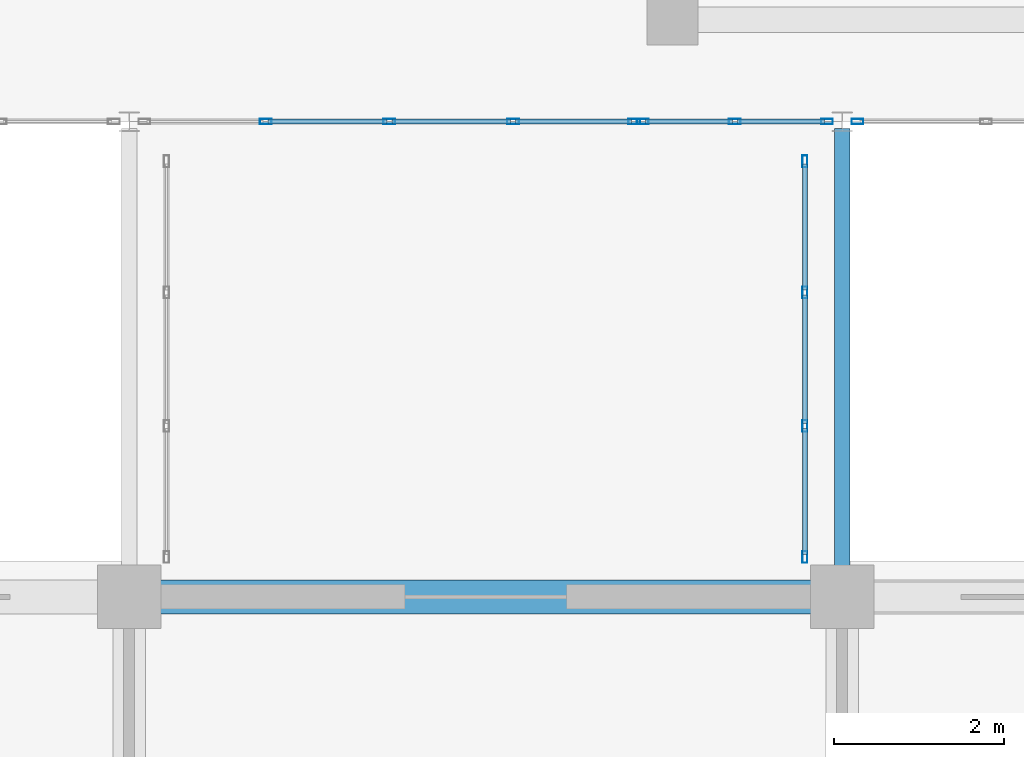
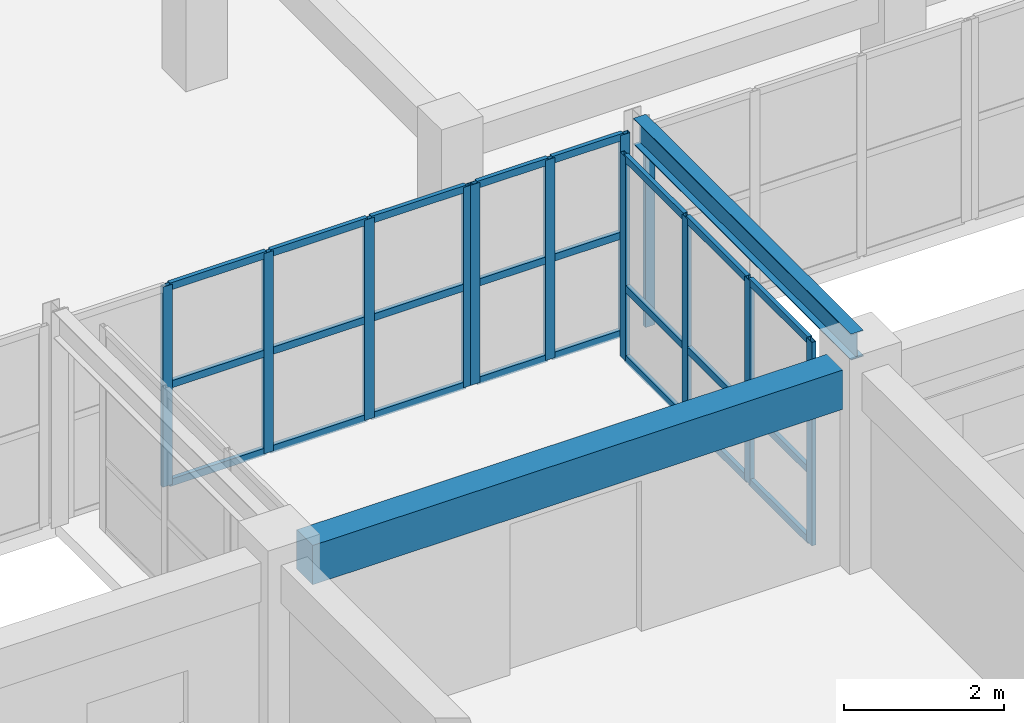
# One storey, part 55 of 200: 36 members, 2 beams, 4 elements without a shape of their own.
"""IFC4 building model written with IfcOpenShell, lengths in metres."""

from ifc_helpers import new_model, si_unit, direction, frame, origin, origin_2d, place, context, subcontext, project, spatial, rectangle, hollow_rectangle, i_section, extrude, material, layer, layer_set, material_profile, profile_set, type_object, element, aggregate, save


model = new_model("IFC4")

# Units and contexts
model_context = context("Model", 3, precision=1e-05, world=origin(), true_north=direction((0.0, 1.0)))
body_context = subcontext(model_context, "Body", "Model", "MODEL_VIEW")
ifc_project = project(units=[si_unit("LENGTHUNIT", "METRE"), si_unit("AREAUNIT", "SQUARE_METRE"), si_unit("VOLUMEUNIT", "CUBIC_METRE"), si_unit("PLANEANGLEUNIT", "RADIAN"), si_unit("MASSUNIT", "GRAM", prefix="KILO")], contexts=[model_context])

# Site, building, storey
site_placement = place(None, origin())
site = spatial("IfcSite", under=ifc_project, at=site_placement, CompositionType="ELEMENT")
building_placement = place(site_placement, origin())
building = spatial("IfcBuilding", under=site, at=building_placement, Name="Trelvath General Hospital", CompositionType="ELEMENT")
storey_placement = place(building_placement, frame((0.0, 0.0, 4.800048828125)))
storey = spatial("IfcBuildingStorey", under=building, at=storey_placement, Name="L01", CompositionType="ELEMENT", Elevation=4.800048828125)

# Beams
ifc_material_1 = material(Name="Concrete C35/45", Category="concrete")
ifc_material_profile_1 = material_profile(ifc_material_1, rectangle(XDim=0.39990234375, YDim=0.60009765625, at=origin_2d()), Name="RCB400x600")
ifc_profile_set_1 = profile_set([ifc_material_profile_1], Name="Concrete C35/45")
beam_type_1 = type_object("IfcBeamType", Name="Beam RC400x600", PredefinedType="BEAM", material=ifc_profile_set_1)
beam_1_placement = place(storey_placement, frame((101.169921875, 25.199951171875, 2.719970703125), z_axis=(1.0, 0.0, 0.0), x_axis=(0.0, 1.0, 0.0)))
element("IfcBeam", 1, at=beam_1_placement, inside=storey, type_object=beam_type_1, Name="Grid Beam BX-112D", PredefinedType="BEAM", context=body_context, shape_type="SweptSolid", body=[
    extrude(rectangle(XDim=0.39990234375, YDim=0.60009765625, at=origin_2d()), origin(), (0.0, 0.0, 1.0), 7.66015625),
])
ifc_material_2 = material(Name="Steel S355", Category="steel")
ifc_material_profile_2 = material_profile(ifc_material_2, i_section(OverallWidth=0.179931640625, OverallDepth=0.39990234375, WebThickness=0.008544921875, FlangeThickness=0.013427734375, at=origin_2d()), Name="IPE400")
ifc_profile_set_2 = profile_set([ifc_material_profile_2], Name="Steel S355")
beam_type_2 = type_object("IfcBeamType", Name="BridgeGirder IPE400", PredefinedType="BEAM", material=ifc_profile_set_2)
beam_2_placement = place(storey_placement, frame((109.199951171875, 25.280029296875, 3.099853515625), z_axis=(0.0, 1.0, 0.0), x_axis=(-1.0, 0.0, 0.0)))
element("IfcBeam", 2, at=beam_2_placement, inside=storey, type_object=beam_type_2, Name="Bridge Roof Girder BRG-S-E E", PredefinedType="BEAM", context=body_context, shape_type="SweptSolid", body=[
    extrude(i_section(OverallWidth=0.179931640625, OverallDepth=0.39990234375, WebThickness=0.008544921875, FlangeThickness=0.013427734375, at=origin_2d()), origin(), (0.0, 0.0, 1.0), 5.43994140625),
])

# Curtain wall, members
ifc_material_3 = material(Name="Anodised aluminium and low-E glass", Category="aluminium")
ifc_layer_1 = layer(ifc_material_3, 0.14990234375)
ifc_layer_set_1 = layer_set([ifc_layer_1], Name="Anodised aluminium and low-E glass")
curtain_wall_type_1 = type_object("IfcCurtainWallType", Name="CW CrystalCube 583 306 15", PredefinedType="USERDEFINED", material=ifc_layer_set_1)
curtain_wall_1_placement = place(storey_placement, origin())
curtain_wall_1 = element("IfcCurtainWall", 3, at=curtain_wall_1_placement, inside=storey, type_object=curtain_wall_type_1, Name="Crystal Cube Curtain Wall CUBE-E-T0 S2 L01", ObjectType="Unitised Glazed Curtain Wall", PredefinedType="USERDEFINED")
ifc_material_4 = material(Name="Anodised aluminium", Category="aluminium")
ifc_material_profile_3 = material_profile(ifc_material_4, hollow_rectangle(XDim=0.06005859375, YDim=0.139892578125, WallThickness=0.00390625, at=origin_2d()), Name="RHS60x140x4")
ifc_profile_set_3 = profile_set([ifc_material_profile_3], Name="Anodised aluminium")
member_type_1 = type_object("IfcMemberType", Name="CurtainMullion 60x140", PredefinedType="MULLION", material=ifc_profile_set_3)
member_1_placement = place(storey_placement, frame((106.75, 30.800048828125, 0.0), z_axis=(0.0, 0.0, 1.0), x_axis=(0.0, -1.0, 0.0)))
member_1 = element("IfcMember", 4, at=member_1_placement, type_object=member_type_1, Name="CW-151 mullion 1", PredefinedType="MULLION", context=body_context, shape_type="SweptSolid", body=[
    extrude(hollow_rectangle(XDim=0.06005859375, YDim=0.139892578125, WallThickness=0.00390625, at=origin_2d()), origin(), (0.0, 0.0, 1.0), 3.06005859375),
])
member_2_placement = place(storey_placement, frame((105.322509765625, 30.800048828125, 0.0), z_axis=(0.0, 0.0, 1.0), x_axis=(0.0, -1.0, 0.0)))
member_2 = element("IfcMember", 5, at=member_2_placement, type_object=member_type_1, Name="CW-151 mullion 2", PredefinedType="MULLION", context=body_context, shape_type="SweptSolid", body=[
    extrude(hollow_rectangle(XDim=0.06005859375, YDim=0.139892578125, WallThickness=0.00390625, at=origin_2d()), origin(), (0.0, 0.0, 1.0), 3.06005859375),
])
member_3_placement = place(storey_placement, frame((103.864990234375, 30.800048828125, 0.0), z_axis=(0.0, 0.0, 1.0), x_axis=(0.0, -1.0, 0.0)))
member_3 = element("IfcMember", 6, at=member_3_placement, type_object=member_type_1, Name="CW-151 mullion 3", PredefinedType="MULLION", context=body_context, shape_type="SweptSolid", body=[
    extrude(hollow_rectangle(XDim=0.06005859375, YDim=0.139892578125, WallThickness=0.00390625, at=origin_2d()), origin(), (0.0, 0.0, 1.0), 3.06005859375),
])
member_4_placement = place(storey_placement, frame((102.407470703125, 30.800048828125, 0.0), z_axis=(0.0, 0.0, 1.0), x_axis=(0.0, -1.0, 0.0)))
member_4 = element("IfcMember", 7, at=member_4_placement, type_object=member_type_1, Name="CW-151 mullion 4", PredefinedType="MULLION", context=body_context, shape_type="SweptSolid", body=[
    extrude(hollow_rectangle(XDim=0.06005859375, YDim=0.139892578125, WallThickness=0.00390625, at=origin_2d()), origin(), (0.0, 0.0, 1.0), 3.06005859375),
])

ifc_material_5 = material(Name="Anodised aluminium and low-E glass", Category="aluminium")
ifc_layer_2 = layer(ifc_material_5, 0.14990234375)
ifc_layer_set_2 = layer_set([ifc_layer_2], Name="Anodised aluminium and low-E glass")
curtain_wall_type_2 = type_object("IfcCurtainWallType", Name="CW CrystalCube 223 306 15", PredefinedType="USERDEFINED", material=ifc_layer_set_2)
curtain_wall_2_placement = place(storey_placement, origin())
curtain_wall_2 = element("IfcCurtainWall", 8, at=curtain_wall_2_placement, inside=storey, type_object=curtain_wall_type_2, Name="Crystal Cube Curtain Wall CUBE-E-T0 S3 L01", ObjectType="Unitised Glazed Curtain Wall", PredefinedType="USERDEFINED")
member_5_placement = place(storey_placement, frame((109.02001953125, 30.800048828125, 0.0), z_axis=(0.0, 0.0, 1.0), x_axis=(0.0, -1.0, 0.0)))
member_5 = element("IfcMember", 9, at=member_5_placement, type_object=member_type_1, Name="CW-152 mullion 1", PredefinedType="MULLION", context=body_context, shape_type="SweptSolid", body=[
    extrude(hollow_rectangle(XDim=0.06005859375, YDim=0.139892578125, WallThickness=0.00390625, at=origin_2d()), origin(), (0.0, 0.0, 1.0), 3.06005859375),
])
member_6_placement = place(storey_placement, frame((107.93505859375, 30.800048828125, 0.0), z_axis=(0.0, 0.0, 1.0), x_axis=(0.0, -1.0, 0.0)))
member_6 = element("IfcMember", 10, at=member_6_placement, type_object=member_type_1, Name="CW-152 mullion 2", PredefinedType="MULLION", context=body_context, shape_type="SweptSolid", body=[
    extrude(hollow_rectangle(XDim=0.06005859375, YDim=0.139892578125, WallThickness=0.00390625, at=origin_2d()), origin(), (0.0, 0.0, 1.0), 3.06005859375),
])
member_7_placement = place(storey_placement, frame((106.85009765625, 30.800048828125, 0.0), z_axis=(0.0, 0.0, 1.0), x_axis=(0.0, -1.0, 0.0)))
member_7 = element("IfcMember", 11, at=member_7_placement, type_object=member_type_1, Name="CW-152 mullion 3", PredefinedType="MULLION", context=body_context, shape_type="SweptSolid", body=[
    extrude(hollow_rectangle(XDim=0.06005859375, YDim=0.139892578125, WallThickness=0.00390625, at=origin_2d()), origin(), (0.0, 0.0, 1.0), 3.06005859375),
])

# Curtain wall, member
ifc_material_6 = material(Name="Anodised aluminium and low-E glass", Category="aluminium")
ifc_layer_3 = layer(ifc_material_6, 0.14990234375)
ifc_layer_set_3 = layer_set([ifc_layer_3], Name="Anodised aluminium and low-E glass")
curtain_wall_type_3 = type_object("IfcCurtainWallType", Name="CW CrystalCube 463 306 15", PredefinedType="USERDEFINED", material=ifc_layer_set_3)
curtain_wall_3_placement = place(storey_placement, origin())
curtain_wall_3 = element("IfcCurtainWall", 12, at=curtain_wall_3_placement, inside=storey, type_object=curtain_wall_type_3, Name="Crystal Cube Curtain Wall CUBE-E-T0 S4 L01", ObjectType="Unitised Glazed Curtain Wall", PredefinedType="USERDEFINED")
member_8_placement = place(storey_placement, frame((109.3798828125, 30.800048828125, 0.0), z_axis=(0.0, 0.0, 1.0), x_axis=(0.0, -1.0, 0.0)))
member_8 = element("IfcMember", 13, at=member_8_placement, type_object=member_type_1, Name="CW-153 mullion 4", PredefinedType="MULLION", context=body_context, shape_type="SweptSolid", body=[
    extrude(hollow_rectangle(XDim=0.06005859375, YDim=0.139892578125, WallThickness=0.00390625, at=origin_2d()), origin(), (0.0, 0.0, 1.0), 3.06005859375),
])
aggregate(curtain_wall_3, [member_8])

# Curtain wall, members
ifc_material_7 = material(Name="Anodised aluminium and low-E glass", Category="aluminium")
ifc_layer_4 = layer(ifc_material_7, 0.139892578125)
ifc_layer_set_4 = layer_set([ifc_layer_4], Name="Anodised aluminium and low-E glass")
curtain_wall_type_4 = type_object("IfcCurtainWallType", Name="CW Bridge 472 311", PredefinedType="USERDEFINED", material=ifc_layer_set_4)
curtain_wall_4_placement = place(storey_placement, origin())
curtain_wall_4 = element("IfcCurtainWall", 14, at=curtain_wall_4_placement, inside=storey, type_object=curtain_wall_type_4, Name="Glazed Bridge Curtain Wall BRG-S-E E L01", ObjectType="Unitised Glazed Curtain Wall", PredefinedType="USERDEFINED")
member_9_placement = place(storey_placement, frame((108.760009765625, 30.330078125, 0.0), z_axis=(0.0, 0.0, 1.0), x_axis=(1.0, 0.0, 0.0)))
member_9 = element("IfcMember", 15, at=member_9_placement, type_object=member_type_1, Name="CW-189 mullion 1", PredefinedType="MULLION", context=body_context, shape_type="SweptSolid", body=[
    extrude(hollow_rectangle(XDim=0.06005859375, YDim=0.139892578125, WallThickness=0.00390625, at=origin_2d()), origin(), (0.0, 0.0, 1.0), 3.10986328125),
])
member_10_placement = place(storey_placement, frame((108.760009765625, 28.78662109375, 0.0), z_axis=(0.0, 0.0, 1.0), x_axis=(1.0, 0.0, 0.0)))
member_10 = element("IfcMember", 16, at=member_10_placement, type_object=member_type_1, Name="CW-189 mullion 2", PredefinedType="MULLION", context=body_context, shape_type="SweptSolid", body=[
    extrude(hollow_rectangle(XDim=0.06005859375, YDim=0.139892578125, WallThickness=0.00390625, at=origin_2d()), origin(), (0.0, 0.0, 1.0), 3.10986328125),
])
member_11_placement = place(storey_placement, frame((108.760009765625, 27.21337890625, 0.0), z_axis=(0.0, 0.0, 1.0), x_axis=(1.0, 0.0, 0.0)))
member_11 = element("IfcMember", 17, at=member_11_placement, type_object=member_type_1, Name="CW-189 mullion 3", PredefinedType="MULLION", context=body_context, shape_type="SweptSolid", body=[
    extrude(hollow_rectangle(XDim=0.06005859375, YDim=0.139892578125, WallThickness=0.00390625, at=origin_2d()), origin(), (0.0, 0.0, 1.0), 3.10986328125),
])
member_12_placement = place(storey_placement, frame((108.760009765625, 25.669921875, 0.0), z_axis=(0.0, 0.0, 1.0), x_axis=(1.0, 0.0, 0.0)))
member_12 = element("IfcMember", 18, at=member_12_placement, type_object=member_type_1, Name="CW-189 mullion 4", PredefinedType="MULLION", context=body_context, shape_type="SweptSolid", body=[
    extrude(hollow_rectangle(XDim=0.06005859375, YDim=0.139892578125, WallThickness=0.00390625, at=origin_2d()), origin(), (0.0, 0.0, 1.0), 3.10986328125),
])

# Member
ifc_material_8 = material(Name="Anodised aluminium", Category="aluminium")
ifc_material_profile_4 = material_profile(ifc_material_8, hollow_rectangle(XDim=0.06005859375, YDim=0.110107421875, WallThickness=0.00390625, at=origin_2d()), Name="RHS60x110x4")
ifc_profile_set_4 = profile_set([ifc_material_profile_4], Name="Anodised aluminium")
member_type_2 = type_object("IfcMemberType", Name="CurtainTransom 60x110", PredefinedType="USERDEFINED", material=ifc_profile_set_4)
member_13_placement = place(storey_placement, frame((106.719970703125, 30.800048828125, 0.030029296875), z_axis=(-1.0, 0.0, 0.0), x_axis=(0.0, -1.0, 0.0)))
member_13 = element("IfcMember", 19, at=member_13_placement, type_object=member_type_2, Name="CW-151 transom 1.1", ObjectType="TRANSOM", PredefinedType="USERDEFINED", context=body_context, shape_type="SweptSolid", body=[
    extrude(hollow_rectangle(XDim=0.06005859375, YDim=0.110107421875, WallThickness=0.00390625, at=origin_2d()), origin(), (0.0, 0.0, 1.0), 1.367431640625),
])

member_14_placement = place(storey_placement, frame((106.719970703125, 30.800048828125, 1.530029296875), z_axis=(-1.0, 0.0, 0.0), x_axis=(0.0, -1.0, 0.0)))
member_14 = element("IfcMember", 20, at=member_14_placement, type_object=member_type_2, Name="CW-151 transom 1.2", ObjectType="TRANSOM", PredefinedType="USERDEFINED", context=body_context, shape_type="SweptSolid", body=[
    extrude(hollow_rectangle(XDim=0.06005859375, YDim=0.110107421875, WallThickness=0.00390625, at=origin_2d()), origin(), (0.0, 0.0, 1.0), 1.367431640625),
])

member_15_placement = place(storey_placement, frame((106.719970703125, 30.800048828125, 3.030029296875), z_axis=(-1.0, 0.0, 0.0), x_axis=(0.0, -1.0, 0.0)))
member_15 = element("IfcMember", 21, at=member_15_placement, type_object=member_type_2, Name="CW-151 transom 1.3", ObjectType="TRANSOM", PredefinedType="USERDEFINED", context=body_context, shape_type="SweptSolid", body=[
    extrude(hollow_rectangle(XDim=0.06005859375, YDim=0.110107421875, WallThickness=0.00390625, at=origin_2d()), origin(), (0.0, 0.0, 1.0), 1.367431640625),
])

member_16_placement = place(storey_placement, frame((105.29248046875, 30.800048828125, 0.030029296875), z_axis=(-1.0, 0.0, 0.0), x_axis=(0.0, -1.0, 0.0)))
member_16 = element("IfcMember", 22, at=member_16_placement, type_object=member_type_2, Name="CW-151 transom 2.1", ObjectType="TRANSOM", PredefinedType="USERDEFINED", context=body_context, shape_type="SweptSolid", body=[
    extrude(hollow_rectangle(XDim=0.06005859375, YDim=0.110107421875, WallThickness=0.00390625, at=origin_2d()), origin(), (0.0, 0.0, 1.0), 1.3974609375),
])

member_17_placement = place(storey_placement, frame((105.29248046875, 30.800048828125, 1.530029296875), z_axis=(-1.0, 0.0, 0.0), x_axis=(0.0, -1.0, 0.0)))
member_17 = element("IfcMember", 23, at=member_17_placement, type_object=member_type_2, Name="CW-151 transom 2.2", ObjectType="TRANSOM", PredefinedType="USERDEFINED", context=body_context, shape_type="SweptSolid", body=[
    extrude(hollow_rectangle(XDim=0.06005859375, YDim=0.110107421875, WallThickness=0.00390625, at=origin_2d()), origin(), (0.0, 0.0, 1.0), 1.3974609375),
])

member_18_placement = place(storey_placement, frame((105.29248046875, 30.800048828125, 3.030029296875), z_axis=(-1.0, 0.0, 0.0), x_axis=(0.0, -1.0, 0.0)))
member_18 = element("IfcMember", 24, at=member_18_placement, type_object=member_type_2, Name="CW-151 transom 2.3", ObjectType="TRANSOM", PredefinedType="USERDEFINED", context=body_context, shape_type="SweptSolid", body=[
    extrude(hollow_rectangle(XDim=0.06005859375, YDim=0.110107421875, WallThickness=0.00390625, at=origin_2d()), origin(), (0.0, 0.0, 1.0), 1.3974609375),
])

member_19_placement = place(storey_placement, frame((103.8349609375, 30.800048828125, 0.030029296875), z_axis=(-1.0, 0.0, 0.0), x_axis=(0.0, -1.0, 0.0)))
member_19 = element("IfcMember", 25, at=member_19_placement, type_object=member_type_2, Name="CW-151 transom 3.1", ObjectType="TRANSOM", PredefinedType="USERDEFINED", context=body_context, shape_type="SweptSolid", body=[
    extrude(hollow_rectangle(XDim=0.06005859375, YDim=0.110107421875, WallThickness=0.00390625, at=origin_2d()), origin(), (0.0, 0.0, 1.0), 1.3974609375),
])

member_20_placement = place(storey_placement, frame((103.8349609375, 30.800048828125, 1.530029296875), z_axis=(-1.0, 0.0, 0.0), x_axis=(0.0, -1.0, 0.0)))
member_20 = element("IfcMember", 26, at=member_20_placement, type_object=member_type_2, Name="CW-151 transom 3.2", ObjectType="TRANSOM", PredefinedType="USERDEFINED", context=body_context, shape_type="SweptSolid", body=[
    extrude(hollow_rectangle(XDim=0.06005859375, YDim=0.110107421875, WallThickness=0.00390625, at=origin_2d()), origin(), (0.0, 0.0, 1.0), 1.3974609375),
])

member_21_placement = place(storey_placement, frame((103.8349609375, 30.800048828125, 3.030029296875), z_axis=(-1.0, 0.0, 0.0), x_axis=(0.0, -1.0, 0.0)))
member_21 = element("IfcMember", 27, at=member_21_placement, type_object=member_type_2, Name="CW-151 transom 3.3", ObjectType="TRANSOM", PredefinedType="USERDEFINED", context=body_context, shape_type="SweptSolid", body=[
    extrude(hollow_rectangle(XDim=0.06005859375, YDim=0.110107421875, WallThickness=0.00390625, at=origin_2d()), origin(), (0.0, 0.0, 1.0), 1.3974609375),
])

aggregate(curtain_wall_1, [member_1, member_2, member_3, member_4, member_13, member_14, member_15, member_16, member_17, member_18, member_19, member_20, member_21])

member_22_placement = place(storey_placement, frame((108.989990234375, 30.800048828125, 0.030029296875), z_axis=(-1.0, 0.0, 0.0), x_axis=(0.0, -1.0, 0.0)))
member_22 = element("IfcMember", 28, at=member_22_placement, type_object=member_type_2, Name="CW-152 transom 1.1", ObjectType="TRANSOM", PredefinedType="USERDEFINED", context=body_context, shape_type="SweptSolid", body=[
    extrude(hollow_rectangle(XDim=0.06005859375, YDim=0.110107421875, WallThickness=0.00390625, at=origin_2d()), origin(), (0.0, 0.0, 1.0), 1.02490234375),
])

member_23_placement = place(storey_placement, frame((108.989990234375, 30.800048828125, 1.530029296875), z_axis=(-1.0, 0.0, 0.0), x_axis=(0.0, -1.0, 0.0)))
member_23 = element("IfcMember", 29, at=member_23_placement, type_object=member_type_2, Name="CW-152 transom 1.2", ObjectType="TRANSOM", PredefinedType="USERDEFINED", context=body_context, shape_type="SweptSolid", body=[
    extrude(hollow_rectangle(XDim=0.06005859375, YDim=0.110107421875, WallThickness=0.00390625, at=origin_2d()), origin(), (0.0, 0.0, 1.0), 1.02490234375),
])

member_24_placement = place(storey_placement, frame((108.989990234375, 30.800048828125, 3.030029296875), z_axis=(-1.0, 0.0, 0.0), x_axis=(0.0, -1.0, 0.0)))
member_24 = element("IfcMember", 30, at=member_24_placement, type_object=member_type_2, Name="CW-152 transom 1.3", ObjectType="TRANSOM", PredefinedType="USERDEFINED", context=body_context, shape_type="SweptSolid", body=[
    extrude(hollow_rectangle(XDim=0.06005859375, YDim=0.110107421875, WallThickness=0.00390625, at=origin_2d()), origin(), (0.0, 0.0, 1.0), 1.02490234375),
])

member_25_placement = place(storey_placement, frame((107.905029296875, 30.800048828125, 0.030029296875), z_axis=(-1.0, 0.0, 0.0), x_axis=(0.0, -1.0, 0.0)))
member_25 = element("IfcMember", 31, at=member_25_placement, type_object=member_type_2, Name="CW-152 transom 2.1", ObjectType="TRANSOM", PredefinedType="USERDEFINED", context=body_context, shape_type="SweptSolid", body=[
    extrude(hollow_rectangle(XDim=0.06005859375, YDim=0.110107421875, WallThickness=0.00390625, at=origin_2d()), origin(), (0.0, 0.0, 1.0), 1.025146484375),
])

member_26_placement = place(storey_placement, frame((107.905029296875, 30.800048828125, 1.530029296875), z_axis=(-1.0, 0.0, 0.0), x_axis=(0.0, -1.0, 0.0)))
member_26 = element("IfcMember", 32, at=member_26_placement, type_object=member_type_2, Name="CW-152 transom 2.2", ObjectType="TRANSOM", PredefinedType="USERDEFINED", context=body_context, shape_type="SweptSolid", body=[
    extrude(hollow_rectangle(XDim=0.06005859375, YDim=0.110107421875, WallThickness=0.00390625, at=origin_2d()), origin(), (0.0, 0.0, 1.0), 1.025146484375),
])

member_27_placement = place(storey_placement, frame((107.905029296875, 30.800048828125, 3.030029296875), z_axis=(-1.0, 0.0, 0.0), x_axis=(0.0, -1.0, 0.0)))
member_27 = element("IfcMember", 33, at=member_27_placement, type_object=member_type_2, Name="CW-152 transom 2.3", ObjectType="TRANSOM", PredefinedType="USERDEFINED", context=body_context, shape_type="SweptSolid", body=[
    extrude(hollow_rectangle(XDim=0.06005859375, YDim=0.110107421875, WallThickness=0.00390625, at=origin_2d()), origin(), (0.0, 0.0, 1.0), 1.025146484375),
])

aggregate(curtain_wall_2, [member_5, member_6, member_7, member_22, member_23, member_24, member_25, member_26, member_27])

member_28_placement = place(storey_placement, frame((108.760009765625, 30.300048828125, 0.030029296875), z_axis=(0.0, -1.0, 0.0), x_axis=(1.0, 0.0, 0.0)))
member_28 = element("IfcMember", 34, at=member_28_placement, type_object=member_type_2, Name="CW-189 transom 1.1", ObjectType="TRANSOM", PredefinedType="USERDEFINED", context=body_context, shape_type="SweptSolid", body=[
    extrude(hollow_rectangle(XDim=0.06005859375, YDim=0.110107421875, WallThickness=0.00390625, at=origin_2d()), origin(), (0.0, 0.0, 1.0), 1.4833984375),
])

member_29_placement = place(storey_placement, frame((108.760009765625, 30.300048828125, 1.099853515625), z_axis=(0.0, -1.0, 0.0), x_axis=(1.0, 0.0, 0.0)))
member_29 = element("IfcMember", 35, at=member_29_placement, type_object=member_type_2, Name="CW-189 transom 1.2", ObjectType="TRANSOM", PredefinedType="USERDEFINED", context=body_context, shape_type="SweptSolid", body=[
    extrude(hollow_rectangle(XDim=0.06005859375, YDim=0.110107421875, WallThickness=0.00390625, at=origin_2d()), origin(), (0.0, 0.0, 1.0), 1.4833984375),
])

member_30_placement = place(storey_placement, frame((108.760009765625, 30.300048828125, 3.079833984375), z_axis=(0.0, -1.0, 0.0), x_axis=(1.0, 0.0, 0.0)))
member_30 = element("IfcMember", 36, at=member_30_placement, type_object=member_type_2, Name="CW-189 transom 1.3", ObjectType="TRANSOM", PredefinedType="USERDEFINED", context=body_context, shape_type="SweptSolid", body=[
    extrude(hollow_rectangle(XDim=0.06005859375, YDim=0.110107421875, WallThickness=0.00390625, at=origin_2d()), origin(), (0.0, 0.0, 1.0), 1.4833984375),
])

member_31_placement = place(storey_placement, frame((108.760009765625, 28.756591796875, 0.030029296875), z_axis=(0.0, -1.0, 0.0), x_axis=(1.0, 0.0, 0.0)))
member_31 = element("IfcMember", 37, at=member_31_placement, type_object=member_type_2, Name="CW-189 transom 2.1", ObjectType="TRANSOM", PredefinedType="USERDEFINED", context=body_context, shape_type="SweptSolid", body=[
    extrude(hollow_rectangle(XDim=0.06005859375, YDim=0.110107421875, WallThickness=0.00390625, at=origin_2d()), origin(), (0.0, 0.0, 1.0), 1.51318359375),
])

member_32_placement = place(storey_placement, frame((108.760009765625, 28.756591796875, 1.099853515625), z_axis=(0.0, -1.0, 0.0), x_axis=(1.0, 0.0, 0.0)))
member_32 = element("IfcMember", 38, at=member_32_placement, type_object=member_type_2, Name="CW-189 transom 2.2", ObjectType="TRANSOM", PredefinedType="USERDEFINED", context=body_context, shape_type="SweptSolid", body=[
    extrude(hollow_rectangle(XDim=0.06005859375, YDim=0.110107421875, WallThickness=0.00390625, at=origin_2d()), origin(), (0.0, 0.0, 1.0), 1.51318359375),
])

member_33_placement = place(storey_placement, frame((108.760009765625, 28.756591796875, 3.079833984375), z_axis=(0.0, -1.0, 0.0), x_axis=(1.0, 0.0, 0.0)))
member_33 = element("IfcMember", 39, at=member_33_placement, type_object=member_type_2, Name="CW-189 transom 2.3", ObjectType="TRANSOM", PredefinedType="USERDEFINED", context=body_context, shape_type="SweptSolid", body=[
    extrude(hollow_rectangle(XDim=0.06005859375, YDim=0.110107421875, WallThickness=0.00390625, at=origin_2d()), origin(), (0.0, 0.0, 1.0), 1.51318359375),
])

member_34_placement = place(storey_placement, frame((108.760009765625, 27.183349609375, 0.030029296875), z_axis=(0.0, -1.0, 0.0), x_axis=(1.0, 0.0, 0.0)))
member_34 = element("IfcMember", 40, at=member_34_placement, type_object=member_type_2, Name="CW-189 transom 3.1", ObjectType="TRANSOM", PredefinedType="USERDEFINED", context=body_context, shape_type="SweptSolid", body=[
    extrude(hollow_rectangle(XDim=0.06005859375, YDim=0.110107421875, WallThickness=0.00390625, at=origin_2d()), origin(), (0.0, 0.0, 1.0), 1.4833984375),
])

member_35_placement = place(storey_placement, frame((108.760009765625, 27.183349609375, 1.099853515625), z_axis=(0.0, -1.0, 0.0), x_axis=(1.0, 0.0, 0.0)))
member_35 = element("IfcMember", 41, at=member_35_placement, type_object=member_type_2, Name="CW-189 transom 3.2", ObjectType="TRANSOM", PredefinedType="USERDEFINED", context=body_context, shape_type="SweptSolid", body=[
    extrude(hollow_rectangle(XDim=0.06005859375, YDim=0.110107421875, WallThickness=0.00390625, at=origin_2d()), origin(), (0.0, 0.0, 1.0), 1.4833984375),
])

member_36_placement = place(storey_placement, frame((108.760009765625, 27.183349609375, 3.079833984375), z_axis=(0.0, -1.0, 0.0), x_axis=(1.0, 0.0, 0.0)))
member_36 = element("IfcMember", 42, at=member_36_placement, type_object=member_type_2, Name="CW-189 transom 3.3", ObjectType="TRANSOM", PredefinedType="USERDEFINED", context=body_context, shape_type="SweptSolid", body=[
    extrude(hollow_rectangle(XDim=0.06005859375, YDim=0.110107421875, WallThickness=0.00390625, at=origin_2d()), origin(), (0.0, 0.0, 1.0), 1.4833984375),
])

aggregate(curtain_wall_4, [member_9, member_10, member_11, member_12, member_28, member_29, member_30, member_31, member_32, member_33, member_34, member_35, member_36])

save(model, "model.ifc")
